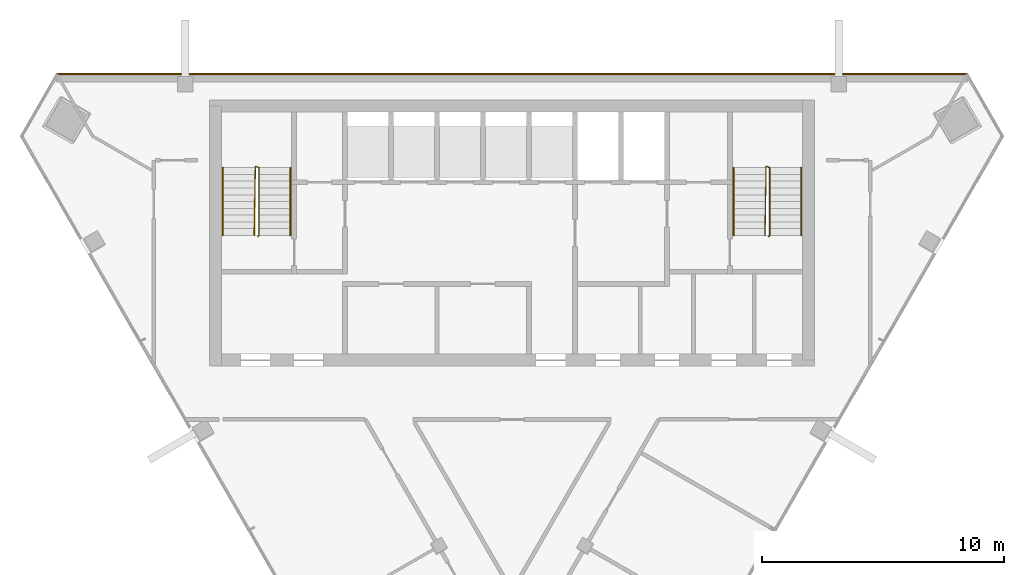
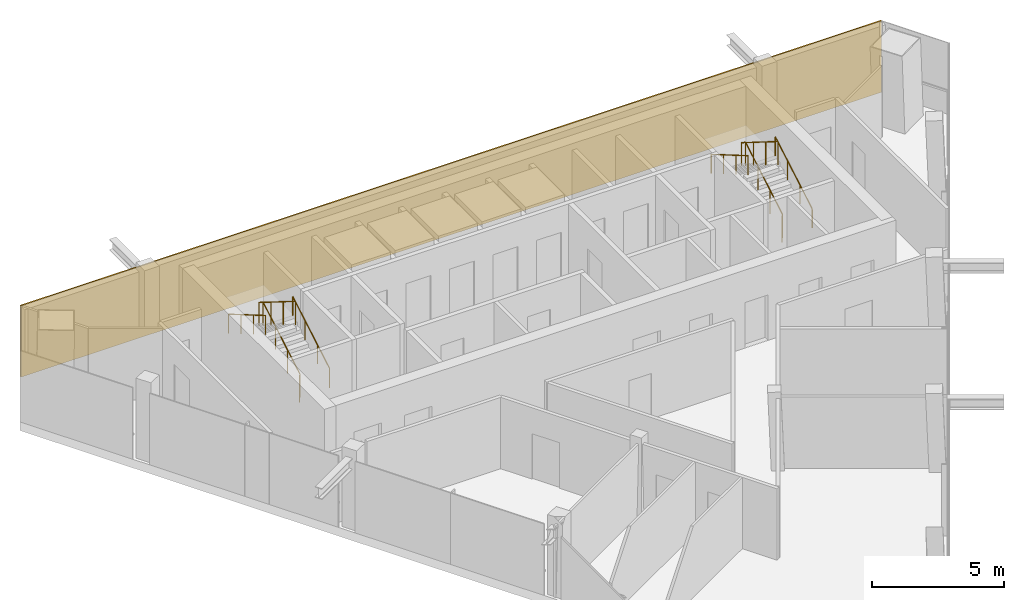
# One storey, part 8 of 9: 6 railings, 1 covering.
"""IFC4 building model written with IfcOpenShell, lengths in metres."""

from ifc_helpers import new_model, si_unit, direction, frame, frame_2d, origin, origin_2d, place, context, subcontext, project, spatial, rectangle, circle, extrude, material, layer, layer_set, type_object, element, save


model = new_model("IFC4")

# Units and contexts
model_context = context("Model", 3, precision=1e-05, world=origin(), true_north=direction((0.0, 1.0)))
body_context = subcontext(model_context, "Body", "Model", "MODEL_VIEW")
ifc_project = project(units=[si_unit("LENGTHUNIT", "METRE"), si_unit("AREAUNIT", "SQUARE_METRE"), si_unit("VOLUMEUNIT", "CUBIC_METRE"), si_unit("PLANEANGLEUNIT", "RADIAN"), si_unit("MASSUNIT", "GRAM", prefix="KILO")], contexts=[model_context])

# Site, building, storey
site_placement = place(None, origin())
site = spatial("IfcSite", under=ifc_project, at=site_placement, CompositionType="ELEMENT")
building_placement = place(site_placement, origin())
building = spatial("IfcBuilding", under=site, at=building_placement, Name="Altiplano Prism Tower", CompositionType="ELEMENT")
storey_placement = place(building_placement, frame((0.0, 0.0, 354.39990234375)))
storey = spatial("IfcBuildingStorey", under=building, at=storey_placement, Name="L92", CompositionType="ELEMENT", Elevation=354.39990234375)

# Railings
ifc_material_1 = material(Name="Steel S355", Category="steel")
railing_type_1 = type_object("IfcRailingType", Name="Stair guard 1100", PredefinedType="GUARDRAIL", material=ifc_material_1)
railing_1_placement = place(storey_placement, frame((74.5, 98.25, 0.0)))
element("IfcRailing", 1, at=railing_1_placement, inside=storey, type_object=railing_type_1, Name="L92 ST1 stair guard 1", PredefinedType="GUARDRAIL", context=body_context, shape_type="SweptSolid", body=[
    extrude(circle(Radius=0.02392578125, at=origin_2d()), frame((0.0, 0.0, 1.076171875), z_axis=(0.280456126637, 0.280456126637, 0.917980785237), x_axis=(-0.707106781187, 0.707106781187, 0.0)), (0.0, 0.0, 1.0), 0.178466796875),
    extrude(circle(Radius=0.02392578125, at=origin_2d()), frame((0.050048828125, 0.050048828125, 1.23974609375), z_axis=(0.0, 0.863393664356, 0.504530851732), x_axis=(-1.0, 0.0, 0.0)), (0.0, 0.0, 1.0), 3.2431640625),
    extrude(circle(Radius=0.02392578125, at=origin_2d()), frame((0.050048828125, 2.85009765625, 2.8759765625), z_axis=(-0.949145278916, 0.314838433982, 0.0), x_axis=(-0.314838433982, -0.949145278916, 0.0)), (0.0, 0.0, 1.0), 0.158203125),
    extrude(circle(Radius=0.02392578125, at=origin_2d()), frame((-0.10009765625, 2.89990234375, 2.8759765625), z_axis=(-0.01477401265, -0.845377694409, 0.533964682676), x_axis=(0.999847325713, -0.01747355902, 0.0)), (0.0, 0.0, 1.0), 3.37109375),
    extrude(circle(Radius=0.02099609375, at=origin_2d()), origin(), (0.0, 0.0, 1.0), 1.052001953125),
    extrude(circle(Radius=0.02099609375, at=origin_2d()), frame((0.050048828125, 0.050048828125, 0.163818359375)), (0.0, 0.0, 1.0), 1.052001953125),
    extrude(circle(Radius=0.02099609375, at=origin_2d()), frame((0.050048828125, 0.9833984375, 0.709228515625)), (0.0, 0.0, 1.0), 1.052001953125),
    extrude(circle(Radius=0.02099609375, at=origin_2d()), frame((0.050048828125, 1.916748046875, 1.254638671875)), (0.0, 0.0, 1.0), 1.052001953125),
    extrude(circle(Radius=0.02099609375, at=origin_2d()), frame((0.050048828125, 2.85009765625, 1.800048828125)), (0.0, 0.0, 1.0), 1.052001953125),
    extrude(circle(Radius=0.02099609375, at=origin_2d()), frame((-0.10009765625, 2.89990234375, 1.800048828125)), (0.0, 0.0, 1.0), 1.052001953125),
    extrude(circle(Radius=0.02099609375, at=origin_2d()), frame((-0.11669921875, 1.949951171875, 2.400146484375)), (0.0, 0.0, 1.0), 1.052001953125),
    extrude(circle(Radius=0.02099609375, at=origin_2d()), frame((-0.13330078125, 1.0, 3.0)), (0.0, 0.0, 1.0), 1.052001953125),
    extrude(circle(Radius=0.02099609375, at=origin_2d()), frame((-0.14990234375, 0.050048828125, 3.60009765625)), (0.0, 0.0, 1.0), 1.052001953125),
])
railing_2_placement = place(storey_placement, frame((95.60009765625, 98.25, 0.0)))
element("IfcRailing", 2, at=railing_2_placement, inside=storey, type_object=railing_type_1, Name="L92 ST2 stair guard 1", PredefinedType="GUARDRAIL", context=body_context, shape_type="SweptSolid", body=[
    extrude(circle(Radius=0.02392578125, at=origin_2d()), frame((0.0, 0.0, 1.076171875), z_axis=(0.279194930351, 0.280563532951, 0.91833234444), x_axis=(-0.708833529934, 0.705375805398, 0.0)), (0.0, 0.0, 1.0), 0.178466796875),
    extrude(circle(Radius=0.02392578125, at=origin_2d()), frame((0.0498046875, 0.050048828125, 1.23974609375), z_axis=(0.0, 0.863393664356, 0.504530851732), x_axis=(-1.0, 0.0, 0.0)), (0.0, 0.0, 1.0), 3.2431640625),
    extrude(circle(Radius=0.02392578125, at=origin_2d()), frame((0.0498046875, 2.85009765625, 2.8759765625), z_axis=(-0.948991962702, 0.315300261223, 0.0), x_axis=(-0.315300261223, -0.948991962702, 0.0)), (0.0, 0.0, 1.0), 0.157958984375),
    extrude(circle(Radius=0.02392578125, at=origin_2d()), frame((-0.10009765625, 2.89990234375, 2.8759765625), z_axis=(-0.014846418356, -0.845376787675, 0.533964109957), x_axis=(0.999845825584, -0.017559187376, 0.0)), (0.0, 0.0, 1.0), 3.37109375),
    extrude(circle(Radius=0.02099609375, at=origin_2d()), origin(), (0.0, 0.0, 1.0), 1.052001953125),
    extrude(circle(Radius=0.02099609375, at=origin_2d()), frame((0.0498046875, 0.050048828125, 0.163818359375)), (0.0, 0.0, 1.0), 1.052001953125),
    extrude(circle(Radius=0.02099609375, at=origin_2d()), frame((0.0498046875, 0.9833984375, 0.709228515625)), (0.0, 0.0, 1.0), 1.052001953125),
    extrude(circle(Radius=0.02099609375, at=origin_2d()), frame((0.0498046875, 1.916748046875, 1.254638671875)), (0.0, 0.0, 1.0), 1.052001953125),
    extrude(circle(Radius=0.02099609375, at=origin_2d()), frame((0.0498046875, 2.85009765625, 1.800048828125)), (0.0, 0.0, 1.0), 1.052001953125),
    extrude(circle(Radius=0.02099609375, at=origin_2d()), frame((-0.10009765625, 2.89990234375, 1.800048828125)), (0.0, 0.0, 1.0), 1.052001953125),
    extrude(circle(Radius=0.02099609375, at=origin_2d()), frame((-0.11669921875, 1.949951171875, 2.400146484375)), (0.0, 0.0, 1.0), 1.052001953125),
    extrude(circle(Radius=0.02099609375, at=origin_2d()), frame((-0.133544921875, 1.0, 3.0)), (0.0, 0.0, 1.0), 1.052001953125),
    extrude(circle(Radius=0.02099609375, at=origin_2d()), frame((-0.150146484375, 0.050048828125, 3.60009765625)), (0.0, 0.0, 1.0), 1.052001953125),
])
railing_type_2 = type_object("IfcRailingType", Name="Stair handrail 900", PredefinedType="HANDRAIL", material=ifc_material_1)
railing_3_placement = place(storey_placement, frame((75.85009765625, 98.300048828125, 0.163818359375)))
element("IfcRailing", 3, at=railing_3_placement, inside=storey, type_object=railing_type_2, Name="L92 ST1 stair handrail 1", PredefinedType="HANDRAIL", context=body_context, shape_type="SweptSolid", body=[
    extrude(circle(Radius=0.02392578125, at=origin_2d()), frame((0.0, 0.0, 0.8759765625), z_axis=(0.0, 0.863393664356, 0.504530851732), x_axis=(-1.0, 0.0, 0.0)), (0.0, 0.0, 1.0), 3.2431640625),
    extrude(circle(Radius=0.02099609375, at=origin_2d()), origin(), (0.0, 0.0, 1.0), 0.851806640625),
    extrude(circle(Radius=0.02099609375, at=origin_2d()), frame((0.0, 0.933349609375, 0.54541015625)), (0.0, 0.0, 1.0), 0.851806640625),
    extrude(circle(Radius=0.02099609375, at=origin_2d()), frame((0.0, 1.86669921875, 1.0908203125)), (0.0, 0.0, 1.0), 0.851806640625),
    extrude(circle(Radius=0.02099609375, at=origin_2d()), frame((0.0, 2.800048828125, 1.63623046875)), (0.0, 0.0, 1.0), 0.851806640625),
])
railing_4_placement = place(storey_placement, frame((73.050048828125, 101.10009765625, 1.963623046875)))
element("IfcRailing", 4, at=railing_4_placement, inside=storey, type_object=railing_type_2, Name="L92 ST1 stair handrail 2", PredefinedType="HANDRAIL", context=body_context, shape_type="SweptSolid", body=[
    extrude(circle(Radius=0.02392578125, at=origin_2d()), frame((0.0, 0.0, 0.8759765625), z_axis=(0.0, -0.863360870873, 0.504586966384), x_axis=(1.0, 0.0, 0.0)), (0.0, 0.0, 1.0), 3.2431640625),
    extrude(circle(Radius=0.02099609375, at=origin_2d()), origin(), (0.0, 0.0, 1.0), 0.851806640625),
    extrude(circle(Radius=0.02099609375, at=origin_2d()), frame((0.0, -0.933349609375, 0.54541015625)), (0.0, 0.0, 1.0), 0.851806640625),
    extrude(circle(Radius=0.02099609375, at=origin_2d()), frame((0.0, -1.86669921875, 1.091064453125)), (0.0, 0.0, 1.0), 0.851806640625),
    extrude(circle(Radius=0.02099609375, at=origin_2d()), frame((0.0, -2.800048828125, 1.636474609375)), (0.0, 0.0, 1.0), 0.851806640625),
])
railing_5_placement = place(storey_placement, frame((96.949951171875, 98.300048828125, 0.163818359375)))
element("IfcRailing", 5, at=railing_5_placement, inside=storey, type_object=railing_type_2, Name="L92 ST2 stair handrail 1", PredefinedType="HANDRAIL", context=body_context, shape_type="SweptSolid", body=[
    extrude(circle(Radius=0.02392578125, at=origin_2d()), frame((0.0, 0.0, 0.8759765625), z_axis=(0.0, 0.863393664356, 0.504530851732), x_axis=(-1.0, 0.0, 0.0)), (0.0, 0.0, 1.0), 3.2431640625),
    extrude(circle(Radius=0.02099609375, at=origin_2d()), origin(), (0.0, 0.0, 1.0), 0.851806640625),
    extrude(circle(Radius=0.02099609375, at=origin_2d()), frame((0.0, 0.933349609375, 0.54541015625)), (0.0, 0.0, 1.0), 0.851806640625),
    extrude(circle(Radius=0.02099609375, at=origin_2d()), frame((0.0, 1.86669921875, 1.0908203125)), (0.0, 0.0, 1.0), 0.851806640625),
    extrude(circle(Radius=0.02099609375, at=origin_2d()), frame((0.0, 2.800048828125, 1.63623046875)), (0.0, 0.0, 1.0), 0.851806640625),
])
railing_6_placement = place(storey_placement, frame((94.14990234375, 101.10009765625, 1.963623046875)))
element("IfcRailing", 6, at=railing_6_placement, inside=storey, type_object=railing_type_2, Name="L92 ST2 stair handrail 2", PredefinedType="HANDRAIL", context=body_context, shape_type="SweptSolid", body=[
    extrude(circle(Radius=0.02392578125, at=origin_2d()), frame((0.0, 0.0, 0.8759765625), z_axis=(0.0, -0.863360870873, 0.504586966384), x_axis=(1.0, 0.0, 0.0)), (0.0, 0.0, 1.0), 3.2431640625),
    extrude(circle(Radius=0.02099609375, at=origin_2d()), origin(), (0.0, 0.0, 1.0), 0.851806640625),
    extrude(circle(Radius=0.02099609375, at=origin_2d()), frame((0.0, -0.933349609375, 0.54541015625)), (0.0, 0.0, 1.0), 0.851806640625),
    extrude(circle(Radius=0.02099609375, at=origin_2d()), frame((0.0, -1.86669921875, 1.091064453125)), (0.0, 0.0, 1.0), 0.851806640625),
    extrude(circle(Radius=0.02099609375, at=origin_2d()), frame((0.0, -2.800048828125, 1.636474609375)), (0.0, 0.0, 1.0), 0.851806640625),
])

# Covering
ifc_material_2 = material(Name="Warm limestone cast stone", Category="masonry")
ifc_layer = layer(ifc_material_2, 0.06005859375)
ifc_layer_set = layer_set([ifc_layer], Name="Warm limestone cast stone")
covering_type = type_object("IfcCoveringType", Name="Stone cladding 60", PredefinedType="CLADDING", material=ifc_layer_set)
covering_placement = place(storey_placement, frame((66.17626953125, 104.969970703125, 0.0), z_axis=(0.0, 0.0, 1.0), x_axis=(1.0, 0.0, 0.0)))
element("IfcCovering", 7, at=covering_placement, inside=storey, type_object=covering_type, Name="Stone cladding north face L92", PredefinedType="CLADDING", context=body_context, shape_type="SweptSolid", body=[
    extrude(rectangle(XDim=37.6474609375, YDim=0.06005859375, at=frame_2d((18.82373046875, 0.0))), origin(), (0.0, 0.0, 1.0), 3.300048828125),
])

save(model, "model.ifc")
